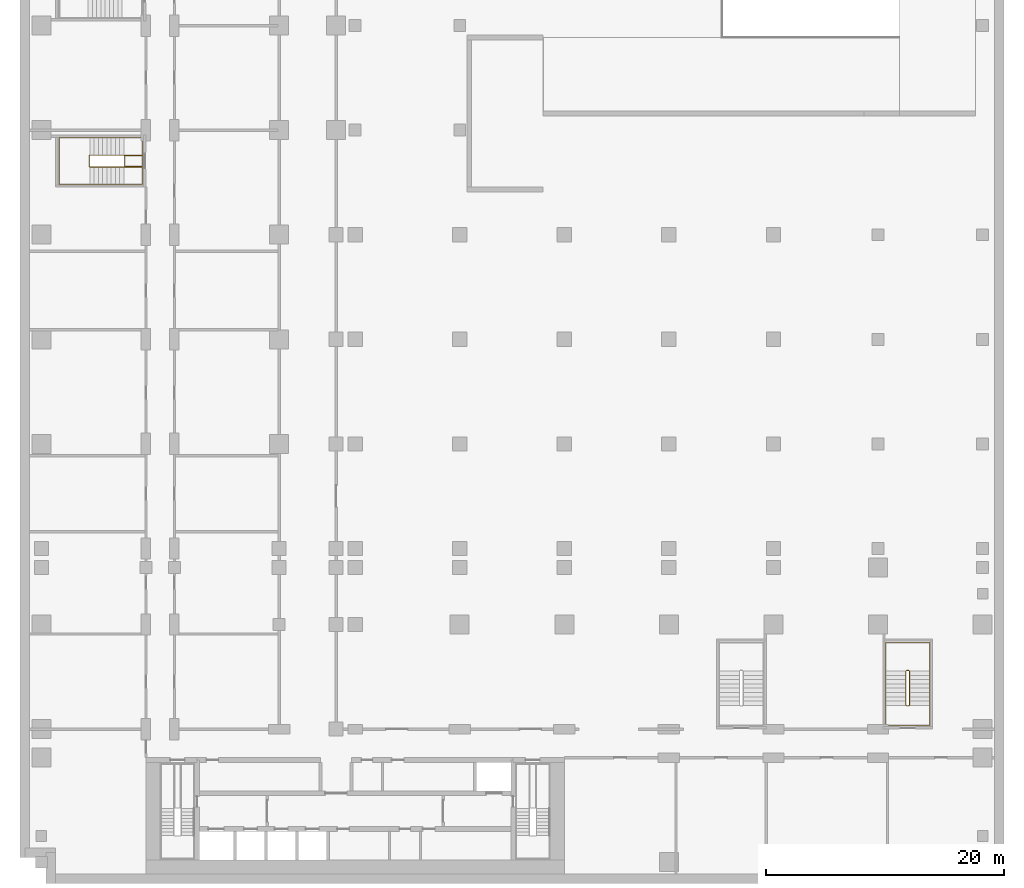
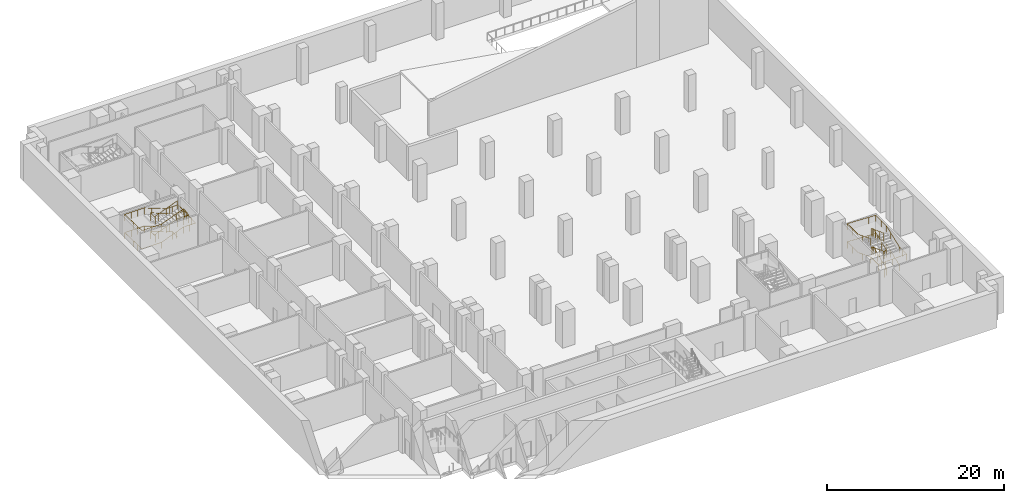
# One storey, part 11 of 12: 4 railings.
"""IFC4 building model written with IfcOpenShell, lengths in metres."""

from ifc_helpers import new_model, si_unit, direction, frame, origin, origin_2d, place, context, subcontext, project, spatial, circle, extrude, material, type_object, element, save


model = new_model("IFC4")

# Units and contexts
model_context = context("Model", 3, precision=1e-05, world=origin(), true_north=direction((0.0, 1.0)))
body_context = subcontext(model_context, "Body", "Model", "MODEL_VIEW")
ifc_project = project(units=[si_unit("LENGTHUNIT", "METRE"), si_unit("AREAUNIT", "SQUARE_METRE"), si_unit("VOLUMEUNIT", "CUBIC_METRE"), si_unit("PLANEANGLEUNIT", "RADIAN"), si_unit("MASSUNIT", "GRAM", prefix="KILO")], contexts=[model_context])

# Site, building, storey
site_placement = place(None, origin())
site = spatial("IfcSite", under=ifc_project, at=site_placement, CompositionType="ELEMENT")
building_placement = place(site_placement, origin())
building = spatial("IfcBuilding", under=site, at=building_placement, Name="Kemantara Hotel Tower", CompositionType="ELEMENT")
storey_placement = place(building_placement, frame((0.0, 0.0, -12.0)))
storey = spatial("IfcBuildingStorey", under=building, at=storey_placement, Name="B2", CompositionType="ELEMENT", Elevation=-12.0)

# Railings
ifc_material = material(Name="Stainless steel balustrade", Category="steel")
railing_type_1 = type_object("IfcRailingType", Name="Stair guard 1100 mm", PredefinedType="GUARDRAIL", material=ifc_material)
railing_1_placement = place(storey_placement, frame((7.949951171875, 59.5, 5.0)))
element("IfcRailing", 1, at=railing_1_placement, inside=storey, type_object=railing_type_1, Name="B2 ST4 stair guard 1", PredefinedType="GUARDRAIL", context=body_context, shape_type="SweptSolid", body=[
    extrude(circle(Radius=0.02392578125, at=origin_2d()), frame((0.0, 0.0, 1.076171875), z_axis=(-0.932972064118, 0.0, -0.359948784656), x_axis=(0.0, -1.0, 0.0)), (0.0, 0.0, 1.0), 3.086669921875),
    extrude(circle(Radius=0.02392578125, at=origin_2d()), frame((-2.8798828125, 0.0, -0.03515625), z_axis=(-0.321014310373, 0.321014310373, -0.891010451718), x_axis=(-0.707106781187, -0.707106781187, 0.0)), (0.0, 0.0, 1.0), 0.156005859375),
    extrude(circle(Radius=0.02392578125, at=origin_2d()), frame((-2.929931640625, 0.050048828125, -0.173828125), z_axis=(0.0, 1.0, 0.0), x_axis=(-1.0, 0.0, 0.0)), (0.0, 0.0, 1.0), 0.89990234375),
    extrude(circle(Radius=0.02392578125, at=origin_2d()), frame((-2.929931640625, 0.949951171875, -0.173828125), z_axis=(0.707106781187, 0.707106781187, 0.0), x_axis=(-0.707106781187, 0.707106781187, 0.0)), (0.0, 0.0, 1.0), 0.07080078125),
    extrude(circle(Radius=0.02392578125, at=origin_2d()), frame((-2.8798828125, 1.0, -0.173828125), z_axis=(0.932972064118, 0.0, -0.359948784656), x_axis=(0.0, 1.0, 0.0)), (0.0, 0.0, 1.0), 3.086669921875),
    extrude(circle(Radius=0.02392578125, at=origin_2d()), frame((0.0, 1.0, -1.28515625), z_axis=(1.0, 0.0, 0.0), x_axis=(0.0, 1.0, 0.0)), (0.0, 0.0, 1.0), 1.530029296875),
    extrude(circle(Radius=0.02392578125, at=origin_2d()), frame((1.530029296875, 1.0, -1.28515625), z_axis=(0.0, -0.989476165601, -0.144695949172), x_axis=(1.0, 0.0, 0.0)), (0.0, 0.0, 1.0), 0.9599609375),
    extrude(circle(Radius=0.02392578125, at=origin_2d()), frame((1.530029296875, 0.050048828125, -1.423828125), z_axis=(-1.0, 0.0, 0.0), x_axis=(0.0, -1.0, 0.0)), (0.0, 0.0, 1.0), 1.47998046875),
    extrude(circle(Radius=0.02392578125, at=origin_2d()), frame((0.050048828125, 0.050048828125, -1.423828125), z_axis=(0.0, 1.0, 0.0), x_axis=(-1.0, 0.0, 0.0)), (0.0, 0.0, 1.0), 0.89990234375),
    extrude(circle(Radius=0.02392578125, at=origin_2d()), frame((0.050048828125, 0.949951171875, -1.423828125), z_axis=(1.0, 0.0, 0.0), x_axis=(0.0, 1.0, 0.0)), (0.0, 0.0, 1.0), 1.47998046875),
    extrude(circle(Radius=0.02392578125, at=origin_2d()), frame((1.530029296875, 0.949951171875, -1.423828125), z_axis=(0.0, -1.0, 0.0), x_axis=(1.0, 0.0, 0.0)), (0.0, 0.0, 1.0), 0.949951171875),
    extrude(circle(Radius=0.02392578125, at=origin_2d()), frame((1.530029296875, 0.0, -1.423828125), z_axis=(-1.0, 0.0, 0.0), x_axis=(0.0, -1.0, 0.0)), (0.0, 0.0, 1.0), 1.530029296875),
    extrude(circle(Radius=0.02392578125, at=origin_2d()), frame((0.0, 0.0, -1.423828125), z_axis=(-0.932972064118, 0.0, -0.359948784656), x_axis=(0.0, -1.0, 0.0)), (0.0, 0.0, 1.0), 3.086669921875),
    extrude(circle(Radius=0.02392578125, at=origin_2d()), frame((-2.8798828125, 0.0, -2.53515625), z_axis=(-0.321014310373, 0.321014310373, -0.891010451718), x_axis=(-0.707106781187, -0.707106781187, 0.0)), (0.0, 0.0, 1.0), 0.156005859375),
    extrude(circle(Radius=0.02392578125, at=origin_2d()), frame((-2.929931640625, 0.050048828125, -2.673828125), z_axis=(0.0, 1.0, 0.0), x_axis=(-1.0, 0.0, 0.0)), (0.0, 0.0, 1.0), 0.89990234375),
    extrude(circle(Radius=0.02392578125, at=origin_2d()), frame((-2.929931640625, 0.949951171875, -2.673828125), z_axis=(0.707106781187, 0.707106781187, 0.0), x_axis=(-0.707106781187, 0.707106781187, 0.0)), (0.0, 0.0, 1.0), 0.07080078125),
    extrude(circle(Radius=0.02392578125, at=origin_2d()), frame((-2.8798828125, 1.0, -2.673828125), z_axis=(0.932972064118, 0.0, -0.359948784656), x_axis=(0.0, 1.0, 0.0)), (0.0, 0.0, 1.0), 3.086669921875),
    extrude(circle(Radius=0.02392578125, at=origin_2d()), frame((0.0, 1.0, -3.78515625), z_axis=(0.321014310373, -0.321014310373, -0.891010451718), x_axis=(0.707106781187, 0.707106781187, 0.0)), (0.0, 0.0, 1.0), 0.156005859375),
    extrude(circle(Radius=0.02392578125, at=origin_2d()), frame((0.050048828125, 0.949951171875, -3.923828125), z_axis=(0.0, -1.0, 0.0), x_axis=(1.0, 0.0, 0.0)), (0.0, 0.0, 1.0), 0.89990234375),
    extrude(circle(Radius=0.02099609375, at=origin_2d()), origin(), (0.0, 0.0, 1.0), 1.052001953125),
    extrude(circle(Radius=0.02099609375, at=origin_2d()), frame((-0.9599609375, 0.0, -0.370361328125)), (0.0, 0.0, 1.0), 1.052001953125),
    extrude(circle(Radius=0.02099609375, at=origin_2d()), frame((-1.919921875, 0.0, -0.74072265625)), (0.0, 0.0, 1.0), 1.052001953125),
    extrude(circle(Radius=0.02099609375, at=origin_2d()), frame((-2.8798828125, 0.0, -1.111083984375)), (0.0, 0.0, 1.0), 1.052001953125),
    extrude(circle(Radius=0.02099609375, at=origin_2d()), frame((-2.929931640625, 0.050048828125, -1.25)), (0.0, 0.0, 1.0), 1.052001953125),
    extrude(circle(Radius=0.02099609375, at=origin_2d()), frame((-2.929931640625, 0.949951171875, -1.25)), (0.0, 0.0, 1.0), 1.052001953125),
    extrude(circle(Radius=0.02099609375, at=origin_2d()), frame((-2.8798828125, 1.0, -1.25)), (0.0, 0.0, 1.0), 1.052001953125),
    extrude(circle(Radius=0.02099609375, at=origin_2d()), frame((-1.919921875, 1.0, -1.620361328125)), (0.0, 0.0, 1.0), 1.052001953125),
    extrude(circle(Radius=0.02099609375, at=origin_2d()), frame((-0.9599609375, 1.0, -1.99072265625)), (0.0, 0.0, 1.0), 1.052001953125),
    extrude(circle(Radius=0.02099609375, at=origin_2d()), frame((0.0, 1.0, -2.361083984375)), (0.0, 0.0, 1.0), 1.052001953125),
    extrude(circle(Radius=0.02099609375, at=origin_2d()), frame((0.76513671875, 1.0, -2.361083984375)), (0.0, 0.0, 1.0), 1.052001953125),
    extrude(circle(Radius=0.02099609375, at=origin_2d()), frame((1.530029296875, 1.0, -2.361083984375)), (0.0, 0.0, 1.0), 1.052001953125),
    extrude(circle(Radius=0.02099609375, at=origin_2d()), frame((1.530029296875, 0.050048828125, -2.5)), (0.0, 0.0, 1.0), 1.052001953125),
    extrude(circle(Radius=0.02099609375, at=origin_2d()), frame((0.7900390625, 0.050048828125, -2.5)), (0.0, 0.0, 1.0), 1.052001953125),
    extrude(circle(Radius=0.02099609375, at=origin_2d()), frame((0.050048828125, 0.050048828125, -2.5)), (0.0, 0.0, 1.0), 1.052001953125),
    extrude(circle(Radius=0.02099609375, at=origin_2d()), frame((0.050048828125, 0.949951171875, -2.5)), (0.0, 0.0, 1.0), 1.052001953125),
    extrude(circle(Radius=0.02099609375, at=origin_2d()), frame((0.7900390625, 0.949951171875, -2.5)), (0.0, 0.0, 1.0), 1.052001953125),
    extrude(circle(Radius=0.02099609375, at=origin_2d()), frame((1.530029296875, 0.949951171875, -2.5)), (0.0, 0.0, 1.0), 1.052001953125),
    extrude(circle(Radius=0.02099609375, at=origin_2d()), frame((1.530029296875, 0.0, -2.5)), (0.0, 0.0, 1.0), 1.052001953125),
    extrude(circle(Radius=0.02099609375, at=origin_2d()), frame((0.76513671875, 0.0, -2.5)), (0.0, 0.0, 1.0), 1.052001953125),
    extrude(circle(Radius=0.02099609375, at=origin_2d()), frame((0.0, 0.0, -2.5)), (0.0, 0.0, 1.0), 1.052001953125),
    extrude(circle(Radius=0.02099609375, at=origin_2d()), frame((-0.9599609375, 0.0, -2.870361328125)), (0.0, 0.0, 1.0), 1.052001953125),
    extrude(circle(Radius=0.02099609375, at=origin_2d()), frame((-1.919921875, 0.0, -3.24072265625)), (0.0, 0.0, 1.0), 1.052001953125),
    extrude(circle(Radius=0.02099609375, at=origin_2d()), frame((-2.8798828125, 0.0, -3.611083984375)), (0.0, 0.0, 1.0), 1.052001953125),
    extrude(circle(Radius=0.02099609375, at=origin_2d()), frame((-2.929931640625, 0.050048828125, -3.75)), (0.0, 0.0, 1.0), 1.052001953125),
    extrude(circle(Radius=0.02099609375, at=origin_2d()), frame((-2.929931640625, 0.949951171875, -3.75)), (0.0, 0.0, 1.0), 1.052001953125),
    extrude(circle(Radius=0.02099609375, at=origin_2d()), frame((-2.8798828125, 1.0, -3.75)), (0.0, 0.0, 1.0), 1.052001953125),
    extrude(circle(Radius=0.02099609375, at=origin_2d()), frame((-1.919921875, 1.0, -4.120361328125)), (0.0, 0.0, 1.0), 1.052001953125),
    extrude(circle(Radius=0.02099609375, at=origin_2d()), frame((-0.9599609375, 1.0, -4.49072265625)), (0.0, 0.0, 1.0), 1.052001953125),
    extrude(circle(Radius=0.02099609375, at=origin_2d()), frame((0.0, 1.0, -4.861083984375)), (0.0, 0.0, 1.0), 1.052001953125),
    extrude(circle(Radius=0.02099609375, at=origin_2d()), frame((0.050048828125, 0.949951171875, -5.0)), (0.0, 0.0, 1.0), 1.052001953125),
    extrude(circle(Radius=0.02099609375, at=origin_2d()), frame((0.050048828125, 0.050048828125, -5.0)), (0.0, 0.0, 1.0), 1.052001953125),
])
railing_2_placement = place(storey_placement, frame((73.75, 14.199951171875, 5.0)))
element("IfcRailing", 2, at=railing_2_placement, inside=storey, type_object=railing_type_1, Name="B2 ST5 stair guard 1", PredefinedType="GUARDRAIL", context=body_context, shape_type="SweptSolid", body=[
    extrude(circle(Radius=0.02392578125, at=origin_2d()), frame((0.0, 0.0, 1.076171875), z_axis=(0.0, 0.932982310422, -0.359922225543), x_axis=(-1.0, 0.0, 0.0)), (0.0, 0.0, 1.0), 3.0869140625),
    extrude(circle(Radius=0.02392578125, at=origin_2d()), frame((0.0, 2.880126953125, -0.03515625), z_axis=(0.321175406682, 0.319608697381, -0.891457592206), x_axis=(-0.705375805398, 0.708833529934, 0.0)), (0.0, 0.0, 1.0), 0.15576171875),
    extrude(circle(Radius=0.02392578125, at=origin_2d()), frame((0.050048828125, 2.929931640625, -0.173828125), z_axis=(1.0, 0.0, 0.0), x_axis=(0.0, 1.0, 0.0)), (0.0, 0.0, 1.0), 0.199951171875),
    extrude(circle(Radius=0.02392578125, at=origin_2d()), frame((0.25, 2.929931640625, -0.173828125), z_axis=(0.708833529934, -0.705375805398, 0.0), x_axis=(0.705375805398, 0.708833529934, 0.0)), (0.0, 0.0, 1.0), 0.070556640625),
    extrude(circle(Radius=0.02392578125, at=origin_2d()), frame((0.300048828125, 2.880126953125, -0.173828125), z_axis=(0.0, -0.932982310422, -0.359922225543), x_axis=(1.0, 0.0, 0.0)), (0.0, 0.0, 1.0), 3.0869140625),
    extrude(circle(Radius=0.02392578125, at=origin_2d()), frame((0.300048828125, 0.0, -1.28515625), z_axis=(-0.861032742868, -0.172374719031, -0.478444951847), x_axis=(0.196300278283, -0.98054382908, 0.0)), (0.0, 0.0, 1.0), 0.290283203125),
    extrude(circle(Radius=0.02392578125, at=origin_2d()), frame((0.050048828125, -0.050048828125, -1.423828125), z_axis=(1.0, 0.0, 0.0), x_axis=(0.0, 1.0, 0.0)), (0.0, 0.0, 1.0), 0.199951171875),
    extrude(circle(Radius=0.02392578125, at=origin_2d()), frame((0.25, -0.050048828125, -1.423828125), z_axis=(-0.98054382908, 0.196300278283, 0.0), x_axis=(-0.196300278283, -0.98054382908, 0.0)), (0.0, 0.0, 1.0), 0.2548828125),
    extrude(circle(Radius=0.02392578125, at=origin_2d()), frame((0.0, 0.0, -1.423828125), z_axis=(0.0, 0.932982310422, -0.359922225543), x_axis=(-1.0, 0.0, 0.0)), (0.0, 0.0, 1.0), 3.0869140625),
    extrude(circle(Radius=0.02392578125, at=origin_2d()), frame((0.0, 2.880126953125, -2.53515625), z_axis=(0.321175406682, 0.319608697381, -0.891457592206), x_axis=(-0.705375805398, 0.708833529934, 0.0)), (0.0, 0.0, 1.0), 0.15576171875),
    extrude(circle(Radius=0.02392578125, at=origin_2d()), frame((0.050048828125, 2.929931640625, -2.673828125), z_axis=(1.0, 0.0, 0.0), x_axis=(0.0, 1.0, 0.0)), (0.0, 0.0, 1.0), 0.199951171875),
    extrude(circle(Radius=0.02392578125, at=origin_2d()), frame((0.25, 2.929931640625, -2.673828125), z_axis=(0.708833529934, -0.705375805398, 0.0), x_axis=(0.705375805398, 0.708833529934, 0.0)), (0.0, 0.0, 1.0), 0.070556640625),
    extrude(circle(Radius=0.02392578125, at=origin_2d()), frame((0.300048828125, 2.880126953125, -2.673828125), z_axis=(0.0, -0.932982310422, -0.359922225543), x_axis=(1.0, 0.0, 0.0)), (0.0, 0.0, 1.0), 3.0869140625),
    extrude(circle(Radius=0.02392578125, at=origin_2d()), frame((0.300048828125, 0.0, -3.78515625), z_axis=(-0.321014310373, -0.321014310373, -0.891010451718), x_axis=(0.707106781187, -0.707106781187, 0.0)), (0.0, 0.0, 1.0), 0.156005859375),
    extrude(circle(Radius=0.02392578125, at=origin_2d()), frame((0.25, -0.050048828125, -3.923828125), z_axis=(-1.0, 0.0, 0.0), x_axis=(0.0, -1.0, 0.0)), (0.0, 0.0, 1.0), 0.199951171875),
    extrude(circle(Radius=0.02099609375, at=origin_2d()), origin(), (0.0, 0.0, 1.0), 1.052001953125),
    extrude(circle(Radius=0.02099609375, at=origin_2d()), frame((0.0, 0.9599609375, -0.370361328125)), (0.0, 0.0, 1.0), 1.052001953125),
    extrude(circle(Radius=0.02099609375, at=origin_2d()), frame((0.0, 1.920166015625, -0.74072265625)), (0.0, 0.0, 1.0), 1.052001953125),
    extrude(circle(Radius=0.02099609375, at=origin_2d()), frame((0.0, 2.880126953125, -1.111083984375)), (0.0, 0.0, 1.0), 1.052001953125),
    extrude(circle(Radius=0.02099609375, at=origin_2d()), frame((0.050048828125, 2.929931640625, -1.25)), (0.0, 0.0, 1.0), 1.052001953125),
    extrude(circle(Radius=0.02099609375, at=origin_2d()), frame((0.25, 2.929931640625, -1.25)), (0.0, 0.0, 1.0), 1.052001953125),
    extrude(circle(Radius=0.02099609375, at=origin_2d()), frame((0.300048828125, 2.880126953125, -1.25)), (0.0, 0.0, 1.0), 1.052001953125),
    extrude(circle(Radius=0.02099609375, at=origin_2d()), frame((0.300048828125, 1.920166015625, -1.620361328125)), (0.0, 0.0, 1.0), 1.052001953125),
    extrude(circle(Radius=0.02099609375, at=origin_2d()), frame((0.300048828125, 0.9599609375, -1.99072265625)), (0.0, 0.0, 1.0), 1.052001953125),
    extrude(circle(Radius=0.02099609375, at=origin_2d()), frame((0.300048828125, 0.0, -2.361083984375)), (0.0, 0.0, 1.0), 1.052001953125),
    extrude(circle(Radius=0.02099609375, at=origin_2d()), frame((0.050048828125, -0.050048828125, -2.5)), (0.0, 0.0, 1.0), 1.052001953125),
    extrude(circle(Radius=0.02099609375, at=origin_2d()), frame((0.25, -0.050048828125, -2.5)), (0.0, 0.0, 1.0), 1.052001953125),
    extrude(circle(Radius=0.02099609375, at=origin_2d()), frame((0.0, 0.0, -2.5)), (0.0, 0.0, 1.0), 1.052001953125),
    extrude(circle(Radius=0.02099609375, at=origin_2d()), frame((0.0, 0.9599609375, -2.870361328125)), (0.0, 0.0, 1.0), 1.052001953125),
    extrude(circle(Radius=0.02099609375, at=origin_2d()), frame((0.0, 1.920166015625, -3.24072265625)), (0.0, 0.0, 1.0), 1.052001953125),
    extrude(circle(Radius=0.02099609375, at=origin_2d()), frame((0.0, 2.880126953125, -3.611083984375)), (0.0, 0.0, 1.0), 1.052001953125),
    extrude(circle(Radius=0.02099609375, at=origin_2d()), frame((0.050048828125, 2.929931640625, -3.75)), (0.0, 0.0, 1.0), 1.052001953125),
    extrude(circle(Radius=0.02099609375, at=origin_2d()), frame((0.25, 2.929931640625, -3.75)), (0.0, 0.0, 1.0), 1.052001953125),
    extrude(circle(Radius=0.02099609375, at=origin_2d()), frame((0.300048828125, 2.880126953125, -3.75)), (0.0, 0.0, 1.0), 1.052001953125),
    extrude(circle(Radius=0.02099609375, at=origin_2d()), frame((0.300048828125, 1.920166015625, -4.120361328125)), (0.0, 0.0, 1.0), 1.052001953125),
    extrude(circle(Radius=0.02099609375, at=origin_2d()), frame((0.300048828125, 0.9599609375, -4.49072265625)), (0.0, 0.0, 1.0), 1.052001953125),
    extrude(circle(Radius=0.02099609375, at=origin_2d()), frame((0.300048828125, 0.0, -4.861083984375)), (0.0, 0.0, 1.0), 1.052001953125),
    extrude(circle(Radius=0.02099609375, at=origin_2d()), frame((0.25, -0.050048828125, -5.0)), (0.0, 0.0, 1.0), 1.052001953125),
    extrude(circle(Radius=0.02099609375, at=origin_2d()), frame((0.050048828125, -0.050048828125, -5.0)), (0.0, 0.0, 1.0), 1.052001953125),
])
railing_type_2 = type_object("IfcRailingType", Name="Stair handrail 900 mm", PredefinedType="HANDRAIL", material=ifc_material)
railing_3_placement = place(storey_placement, frame((7.949951171875, 61.949951171875, 0.138916015625)))
element("IfcRailing", 3, at=railing_3_placement, inside=storey, type_object=railing_type_2, Name="B2 ST4 stair handrail 1", PredefinedType="HANDRAIL", context=body_context, shape_type="SweptSolid", body=[
    extrude(circle(Radius=0.02392578125, at=origin_2d()), frame((0.0, 0.0, 0.8759765625), z_axis=(-0.932972064118, 0.0, 0.359948784656), x_axis=(0.0, -1.0, 0.0)), (0.0, 0.0, 1.0), 3.086669921875),
    extrude(circle(Radius=0.02392578125, at=origin_2d()), frame((-2.8798828125, 0.0, 1.98681640625), z_axis=(-1.0, 0.0, 0.0), x_axis=(0.0, -1.0, 0.0)), (0.0, 0.0, 1.0), 2.550048828125),
    extrude(circle(Radius=0.02392578125, at=origin_2d()), frame((-5.429931640625, 0.0, 1.98681640625), z_axis=(0.0, -0.999366197222, 0.035597806825), x_axis=(1.0, 0.0, 0.0)), (0.0, 0.0, 1.0), 3.90234375),
    extrude(circle(Radius=0.02392578125, at=origin_2d()), frame((-5.429931640625, -3.89990234375, 2.1259765625), z_axis=(1.0, 0.0, 0.0), x_axis=(0.0, 1.0, 0.0)), (0.0, 0.0, 1.0), 2.550048828125),
    extrude(circle(Radius=0.02392578125, at=origin_2d()), frame((-2.8798828125, -3.89990234375, 2.1259765625), z_axis=(0.932972064118, 0.0, 0.359948784656), x_axis=(0.0, 1.0, 0.0)), (0.0, 0.0, 1.0), 3.086669921875),
    extrude(circle(Radius=0.02392578125, at=origin_2d()), frame((0.0, -3.89990234375, 3.23681640625), z_axis=(1.0, 0.0, 0.0), x_axis=(0.0, 1.0, 0.0)), (0.0, 0.0, 1.0), 1.530029296875),
    extrude(circle(Radius=0.02392578125, at=origin_2d()), frame((1.530029296875, -3.89990234375, 3.23681640625), z_axis=(0.0, 0.999366197222, 0.035597806825), x_axis=(-1.0, 0.0, 0.0)), (0.0, 0.0, 1.0), 3.90234375),
    extrude(circle(Radius=0.02392578125, at=origin_2d()), frame((1.530029296875, 0.0, 3.3759765625), z_axis=(-1.0, 0.0, 0.0), x_axis=(0.0, -1.0, 0.0)), (0.0, 0.0, 1.0), 1.530029296875),
    extrude(circle(Radius=0.02392578125, at=origin_2d()), frame((0.0, 0.0, 3.3759765625), z_axis=(-0.932972064118, 0.0, 0.359948784656), x_axis=(0.0, -1.0, 0.0)), (0.0, 0.0, 1.0), 3.086669921875),
    extrude(circle(Radius=0.02392578125, at=origin_2d()), frame((-2.8798828125, 0.0, 4.48681640625), z_axis=(-1.0, 0.0, 0.0), x_axis=(0.0, -1.0, 0.0)), (0.0, 0.0, 1.0), 2.550048828125),
    extrude(circle(Radius=0.02392578125, at=origin_2d()), frame((-5.429931640625, 0.0, 4.48681640625), z_axis=(0.0, -0.999366197222, 0.035597806825), x_axis=(1.0, 0.0, 0.0)), (0.0, 0.0, 1.0), 3.90234375),
    extrude(circle(Radius=0.02392578125, at=origin_2d()), frame((-5.429931640625, -3.89990234375, 4.6259765625), z_axis=(1.0, 0.0, 0.0), x_axis=(0.0, 1.0, 0.0)), (0.0, 0.0, 1.0), 2.550048828125),
    extrude(circle(Radius=0.02392578125, at=origin_2d()), frame((-2.8798828125, -3.89990234375, 4.6259765625), z_axis=(0.932972064118, 0.0, 0.359948784656), x_axis=(0.0, 1.0, 0.0)), (0.0, 0.0, 1.0), 3.086669921875),
    extrude(circle(Radius=0.02099609375, at=origin_2d()), origin(), (0.0, 0.0, 1.0), 0.851806640625),
    extrude(circle(Radius=0.02099609375, at=origin_2d()), frame((-0.9599609375, 0.0, 0.370361328125)), (0.0, 0.0, 1.0), 0.851806640625),
    extrude(circle(Radius=0.02099609375, at=origin_2d()), frame((-1.919921875, 0.0, 0.74072265625)), (0.0, 0.0, 1.0), 0.851806640625),
    extrude(circle(Radius=0.02099609375, at=origin_2d()), frame((-2.8798828125, 0.0, 1.111083984375)), (0.0, 0.0, 1.0), 0.851806640625),
    extrude(circle(Radius=0.02099609375, at=origin_2d()), frame((-3.72998046875, 0.0, 1.111083984375)), (0.0, 0.0, 1.0), 0.851806640625),
    extrude(circle(Radius=0.02099609375, at=origin_2d()), frame((-4.579833984375, 0.0, 1.111083984375)), (0.0, 0.0, 1.0), 0.851806640625),
    extrude(circle(Radius=0.02099609375, at=origin_2d()), frame((-5.429931640625, 0.0, 1.111083984375)), (0.0, 0.0, 1.0), 0.851806640625),
    extrude(circle(Radius=0.02099609375, at=origin_2d()), frame((-5.429931640625, -0.97509765625, 1.145751953125)), (0.0, 0.0, 1.0), 0.851806640625),
    extrude(circle(Radius=0.02099609375, at=origin_2d()), frame((-5.429931640625, -1.949951171875, 1.1806640625)), (0.0, 0.0, 1.0), 0.851806640625),
    extrude(circle(Radius=0.02099609375, at=origin_2d()), frame((-5.429931640625, -2.9248046875, 1.21533203125)), (0.0, 0.0, 1.0), 0.851806640625),
    extrude(circle(Radius=0.02099609375, at=origin_2d()), frame((-5.429931640625, -3.89990234375, 1.25)), (0.0, 0.0, 1.0), 0.851806640625),
    extrude(circle(Radius=0.02099609375, at=origin_2d()), frame((-4.579833984375, -3.89990234375, 1.25)), (0.0, 0.0, 1.0), 0.851806640625),
    extrude(circle(Radius=0.02099609375, at=origin_2d()), frame((-3.72998046875, -3.89990234375, 1.25)), (0.0, 0.0, 1.0), 0.851806640625),
    extrude(circle(Radius=0.02099609375, at=origin_2d()), frame((-2.8798828125, -3.89990234375, 1.25)), (0.0, 0.0, 1.0), 0.851806640625),
    extrude(circle(Radius=0.02099609375, at=origin_2d()), frame((-1.919921875, -3.89990234375, 1.620361328125)), (0.0, 0.0, 1.0), 0.851806640625),
    extrude(circle(Radius=0.02099609375, at=origin_2d()), frame((-0.9599609375, -3.89990234375, 1.99072265625)), (0.0, 0.0, 1.0), 0.851806640625),
    extrude(circle(Radius=0.02099609375, at=origin_2d()), frame((0.0, -3.89990234375, 2.361083984375)), (0.0, 0.0, 1.0), 0.851806640625),
    extrude(circle(Radius=0.02099609375, at=origin_2d()), frame((0.76513671875, -3.89990234375, 2.361083984375)), (0.0, 0.0, 1.0), 0.851806640625),
    extrude(circle(Radius=0.02099609375, at=origin_2d()), frame((1.530029296875, -3.89990234375, 2.361083984375)), (0.0, 0.0, 1.0), 0.851806640625),
    extrude(circle(Radius=0.02099609375, at=origin_2d()), frame((1.530029296875, -2.9248046875, 2.395751953125)), (0.0, 0.0, 1.0), 0.851806640625),
    extrude(circle(Radius=0.02099609375, at=origin_2d()), frame((1.530029296875, -1.949951171875, 2.4306640625)), (0.0, 0.0, 1.0), 0.851806640625),
    extrude(circle(Radius=0.02099609375, at=origin_2d()), frame((1.530029296875, -0.97509765625, 2.46533203125)), (0.0, 0.0, 1.0), 0.851806640625),
    extrude(circle(Radius=0.02099609375, at=origin_2d()), frame((1.530029296875, 0.0, 2.5)), (0.0, 0.0, 1.0), 0.851806640625),
    extrude(circle(Radius=0.02099609375, at=origin_2d()), frame((0.76513671875, 0.0, 2.5)), (0.0, 0.0, 1.0), 0.851806640625),
    extrude(circle(Radius=0.02099609375, at=origin_2d()), frame((0.0, 0.0, 2.5)), (0.0, 0.0, 1.0), 0.851806640625),
    extrude(circle(Radius=0.02099609375, at=origin_2d()), frame((-0.9599609375, 0.0, 2.870361328125)), (0.0, 0.0, 1.0), 0.851806640625),
    extrude(circle(Radius=0.02099609375, at=origin_2d()), frame((-1.919921875, 0.0, 3.24072265625)), (0.0, 0.0, 1.0), 0.851806640625),
    extrude(circle(Radius=0.02099609375, at=origin_2d()), frame((-2.8798828125, 0.0, 3.611083984375)), (0.0, 0.0, 1.0), 0.851806640625),
    extrude(circle(Radius=0.02099609375, at=origin_2d()), frame((-3.72998046875, 0.0, 3.611083984375)), (0.0, 0.0, 1.0), 0.851806640625),
    extrude(circle(Radius=0.02099609375, at=origin_2d()), frame((-4.579833984375, 0.0, 3.611083984375)), (0.0, 0.0, 1.0), 0.851806640625),
    extrude(circle(Radius=0.02099609375, at=origin_2d()), frame((-5.429931640625, 0.0, 3.611083984375)), (0.0, 0.0, 1.0), 0.851806640625),
    extrude(circle(Radius=0.02099609375, at=origin_2d()), frame((-5.429931640625, -0.97509765625, 3.645751953125)), (0.0, 0.0, 1.0), 0.851806640625),
    extrude(circle(Radius=0.02099609375, at=origin_2d()), frame((-5.429931640625, -1.949951171875, 3.6806640625)), (0.0, 0.0, 1.0), 0.851806640625),
    extrude(circle(Radius=0.02099609375, at=origin_2d()), frame((-5.429931640625, -2.9248046875, 3.71533203125)), (0.0, 0.0, 1.0), 0.851806640625),
    extrude(circle(Radius=0.02099609375, at=origin_2d()), frame((-5.429931640625, -3.89990234375, 3.75)), (0.0, 0.0, 1.0), 0.851806640625),
    extrude(circle(Radius=0.02099609375, at=origin_2d()), frame((-4.579833984375, -3.89990234375, 3.75)), (0.0, 0.0, 1.0), 0.851806640625),
    extrude(circle(Radius=0.02099609375, at=origin_2d()), frame((-3.72998046875, -3.89990234375, 3.75)), (0.0, 0.0, 1.0), 0.851806640625),
    extrude(circle(Radius=0.02099609375, at=origin_2d()), frame((-2.8798828125, -3.89990234375, 3.75)), (0.0, 0.0, 1.0), 0.851806640625),
    extrude(circle(Radius=0.02099609375, at=origin_2d()), frame((-1.919921875, -3.89990234375, 4.120361328125)), (0.0, 0.0, 1.0), 0.851806640625),
    extrude(circle(Radius=0.02099609375, at=origin_2d()), frame((-0.9599609375, -3.89990234375, 4.49072265625)), (0.0, 0.0, 1.0), 0.851806640625),
    extrude(circle(Radius=0.02099609375, at=origin_2d()), frame((0.0, -3.89990234375, 4.861083984375)), (0.0, 0.0, 1.0), 0.851806640625),
])
railing_4_placement = place(storey_placement, frame((75.75, 14.199951171875, 0.138916015625)))
element("IfcRailing", 4, at=railing_4_placement, inside=storey, type_object=railing_type_2, Name="B2 ST5 stair handrail 1", PredefinedType="HANDRAIL", context=body_context, shape_type="SweptSolid", body=[
    extrude(circle(Radius=0.02392578125, at=origin_2d()), frame((0.0, 0.0, 0.8759765625), z_axis=(0.0, 0.932982310422, 0.359922225543), x_axis=(-1.0, 0.0, 0.0)), (0.0, 0.0, 1.0), 3.0869140625),
    extrude(circle(Radius=0.02392578125, at=origin_2d()), frame((0.0, 2.880126953125, 1.98681640625), z_axis=(0.0, 1.0, 0.0), x_axis=(-1.0, 0.0, 0.0)), (0.0, 0.0, 1.0), 2.39990234375),
    extrude(circle(Radius=0.02392578125, at=origin_2d()), frame((0.0, 5.280029296875, 1.98681640625), z_axis=(-0.999295917098, 0.0, 0.037518929517), x_axis=(0.0, -1.0, 0.0)), (0.0, 0.0, 1.0), 3.70263671875),
    extrude(circle(Radius=0.02392578125, at=origin_2d()), frame((-3.699951171875, 5.280029296875, 2.1259765625), z_axis=(0.0, -1.0, 0.0), x_axis=(1.0, 0.0, 0.0)), (0.0, 0.0, 1.0), 2.39990234375),
    extrude(circle(Radius=0.02392578125, at=origin_2d()), frame((-3.699951171875, 2.880126953125, 2.1259765625), z_axis=(0.0, -0.932982310422, 0.359922225543), x_axis=(1.0, 0.0, 0.0)), (0.0, 0.0, 1.0), 3.0869140625),
    extrude(circle(Radius=0.02392578125, at=origin_2d()), frame((-3.699951171875, 0.0, 3.23681640625), z_axis=(0.0, -1.0, 0.0), x_axis=(1.0, 0.0, 0.0)), (0.0, 0.0, 1.0), 1.679931640625),
    extrude(circle(Radius=0.02392578125, at=origin_2d()), frame((-3.699951171875, -1.679931640625, 3.23681640625), z_axis=(0.999295917098, 0.0, 0.037518929517), x_axis=(0.0, 1.0, 0.0)), (0.0, 0.0, 1.0), 3.70263671875),
    extrude(circle(Radius=0.02392578125, at=origin_2d()), frame((0.0, -1.679931640625, 3.3759765625), z_axis=(0.0, 1.0, 0.0), x_axis=(-1.0, 0.0, 0.0)), (0.0, 0.0, 1.0), 1.679931640625),
    extrude(circle(Radius=0.02392578125, at=origin_2d()), frame((0.0, 0.0, 3.3759765625), z_axis=(0.0, 0.932982310422, 0.359922225543), x_axis=(-1.0, 0.0, 0.0)), (0.0, 0.0, 1.0), 3.0869140625),
    extrude(circle(Radius=0.02392578125, at=origin_2d()), frame((0.0, 2.880126953125, 4.48681640625), z_axis=(0.0, 1.0, 0.0), x_axis=(-1.0, 0.0, 0.0)), (0.0, 0.0, 1.0), 2.39990234375),
    extrude(circle(Radius=0.02392578125, at=origin_2d()), frame((0.0, 5.280029296875, 4.48681640625), z_axis=(-0.999295917098, 0.0, 0.037518929517), x_axis=(0.0, -1.0, 0.0)), (0.0, 0.0, 1.0), 3.70263671875),
    extrude(circle(Radius=0.02392578125, at=origin_2d()), frame((-3.699951171875, 5.280029296875, 4.6259765625), z_axis=(0.0, -1.0, 0.0), x_axis=(1.0, 0.0, 0.0)), (0.0, 0.0, 1.0), 2.39990234375),
    extrude(circle(Radius=0.02392578125, at=origin_2d()), frame((-3.699951171875, 2.880126953125, 4.6259765625), z_axis=(0.0, -0.932982310422, 0.359922225543), x_axis=(1.0, 0.0, 0.0)), (0.0, 0.0, 1.0), 3.0869140625),
    extrude(circle(Radius=0.02099609375, at=origin_2d()), origin(), (0.0, 0.0, 1.0), 0.851806640625),
    extrude(circle(Radius=0.02099609375, at=origin_2d()), frame((0.0, 0.9599609375, 0.370361328125)), (0.0, 0.0, 1.0), 0.851806640625),
    extrude(circle(Radius=0.02099609375, at=origin_2d()), frame((0.0, 1.920166015625, 0.74072265625)), (0.0, 0.0, 1.0), 0.851806640625),
    extrude(circle(Radius=0.02099609375, at=origin_2d()), frame((0.0, 2.880126953125, 1.111083984375)), (0.0, 0.0, 1.0), 0.851806640625),
    extrude(circle(Radius=0.02099609375, at=origin_2d()), frame((0.0, 4.080078125, 1.111083984375)), (0.0, 0.0, 1.0), 0.851806640625),
    extrude(circle(Radius=0.02099609375, at=origin_2d()), frame((0.0, 5.280029296875, 1.111083984375)), (0.0, 0.0, 1.0), 0.851806640625),
    extrude(circle(Radius=0.02099609375, at=origin_2d()), frame((-0.925048828125, 5.280029296875, 1.145751953125)), (0.0, 0.0, 1.0), 0.851806640625),
    extrude(circle(Radius=0.02099609375, at=origin_2d()), frame((-1.85009765625, 5.280029296875, 1.1806640625)), (0.0, 0.0, 1.0), 0.851806640625),
    extrude(circle(Radius=0.02099609375, at=origin_2d()), frame((-2.77490234375, 5.280029296875, 1.21533203125)), (0.0, 0.0, 1.0), 0.851806640625),
    extrude(circle(Radius=0.02099609375, at=origin_2d()), frame((-3.699951171875, 5.280029296875, 1.25)), (0.0, 0.0, 1.0), 0.851806640625),
    extrude(circle(Radius=0.02099609375, at=origin_2d()), frame((-3.699951171875, 4.080078125, 1.25)), (0.0, 0.0, 1.0), 0.851806640625),
    extrude(circle(Radius=0.02099609375, at=origin_2d()), frame((-3.699951171875, 2.880126953125, 1.25)), (0.0, 0.0, 1.0), 0.851806640625),
    extrude(circle(Radius=0.02099609375, at=origin_2d()), frame((-3.699951171875, 1.920166015625, 1.620361328125)), (0.0, 0.0, 1.0), 0.851806640625),
    extrude(circle(Radius=0.02099609375, at=origin_2d()), frame((-3.699951171875, 0.9599609375, 1.99072265625)), (0.0, 0.0, 1.0), 0.851806640625),
    extrude(circle(Radius=0.02099609375, at=origin_2d()), frame((-3.699951171875, 0.0, 2.361083984375)), (0.0, 0.0, 1.0), 0.851806640625),
    extrude(circle(Radius=0.02099609375, at=origin_2d()), frame((-3.699951171875, -0.83984375, 2.361083984375)), (0.0, 0.0, 1.0), 0.851806640625),
    extrude(circle(Radius=0.02099609375, at=origin_2d()), frame((-3.699951171875, -1.679931640625, 2.361083984375)), (0.0, 0.0, 1.0), 0.851806640625),
    extrude(circle(Radius=0.02099609375, at=origin_2d()), frame((-2.77490234375, -1.679931640625, 2.395751953125)), (0.0, 0.0, 1.0), 0.851806640625),
    extrude(circle(Radius=0.02099609375, at=origin_2d()), frame((-1.85009765625, -1.679931640625, 2.4306640625)), (0.0, 0.0, 1.0), 0.851806640625),
    extrude(circle(Radius=0.02099609375, at=origin_2d()), frame((-0.925048828125, -1.679931640625, 2.46533203125)), (0.0, 0.0, 1.0), 0.851806640625),
    extrude(circle(Radius=0.02099609375, at=origin_2d()), frame((0.0, -1.679931640625, 2.5)), (0.0, 0.0, 1.0), 0.851806640625),
    extrude(circle(Radius=0.02099609375, at=origin_2d()), frame((0.0, -0.83984375, 2.5)), (0.0, 0.0, 1.0), 0.851806640625),
    extrude(circle(Radius=0.02099609375, at=origin_2d()), frame((0.0, 0.0, 2.5)), (0.0, 0.0, 1.0), 0.851806640625),
    extrude(circle(Radius=0.02099609375, at=origin_2d()), frame((0.0, 0.9599609375, 2.870361328125)), (0.0, 0.0, 1.0), 0.851806640625),
    extrude(circle(Radius=0.02099609375, at=origin_2d()), frame((0.0, 1.920166015625, 3.24072265625)), (0.0, 0.0, 1.0), 0.851806640625),
    extrude(circle(Radius=0.02099609375, at=origin_2d()), frame((0.0, 2.880126953125, 3.611083984375)), (0.0, 0.0, 1.0), 0.851806640625),
    extrude(circle(Radius=0.02099609375, at=origin_2d()), frame((0.0, 4.080078125, 3.611083984375)), (0.0, 0.0, 1.0), 0.851806640625),
    extrude(circle(Radius=0.02099609375, at=origin_2d()), frame((0.0, 5.280029296875, 3.611083984375)), (0.0, 0.0, 1.0), 0.851806640625),
    extrude(circle(Radius=0.02099609375, at=origin_2d()), frame((-0.925048828125, 5.280029296875, 3.645751953125)), (0.0, 0.0, 1.0), 0.851806640625),
    extrude(circle(Radius=0.02099609375, at=origin_2d()), frame((-1.85009765625, 5.280029296875, 3.6806640625)), (0.0, 0.0, 1.0), 0.851806640625),
    extrude(circle(Radius=0.02099609375, at=origin_2d()), frame((-2.77490234375, 5.280029296875, 3.71533203125)), (0.0, 0.0, 1.0), 0.851806640625),
    extrude(circle(Radius=0.02099609375, at=origin_2d()), frame((-3.699951171875, 5.280029296875, 3.75)), (0.0, 0.0, 1.0), 0.851806640625),
    extrude(circle(Radius=0.02099609375, at=origin_2d()), frame((-3.699951171875, 4.080078125, 3.75)), (0.0, 0.0, 1.0), 0.851806640625),
    extrude(circle(Radius=0.02099609375, at=origin_2d()), frame((-3.699951171875, 2.880126953125, 3.75)), (0.0, 0.0, 1.0), 0.851806640625),
    extrude(circle(Radius=0.02099609375, at=origin_2d()), frame((-3.699951171875, 1.920166015625, 4.120361328125)), (0.0, 0.0, 1.0), 0.851806640625),
    extrude(circle(Radius=0.02099609375, at=origin_2d()), frame((-3.699951171875, 0.9599609375, 4.49072265625)), (0.0, 0.0, 1.0), 0.851806640625),
    extrude(circle(Radius=0.02099609375, at=origin_2d()), frame((-3.699951171875, 0.0, 4.861083984375)), (0.0, 0.0, 1.0), 0.851806640625),
])

save(model, "model.ifc")
